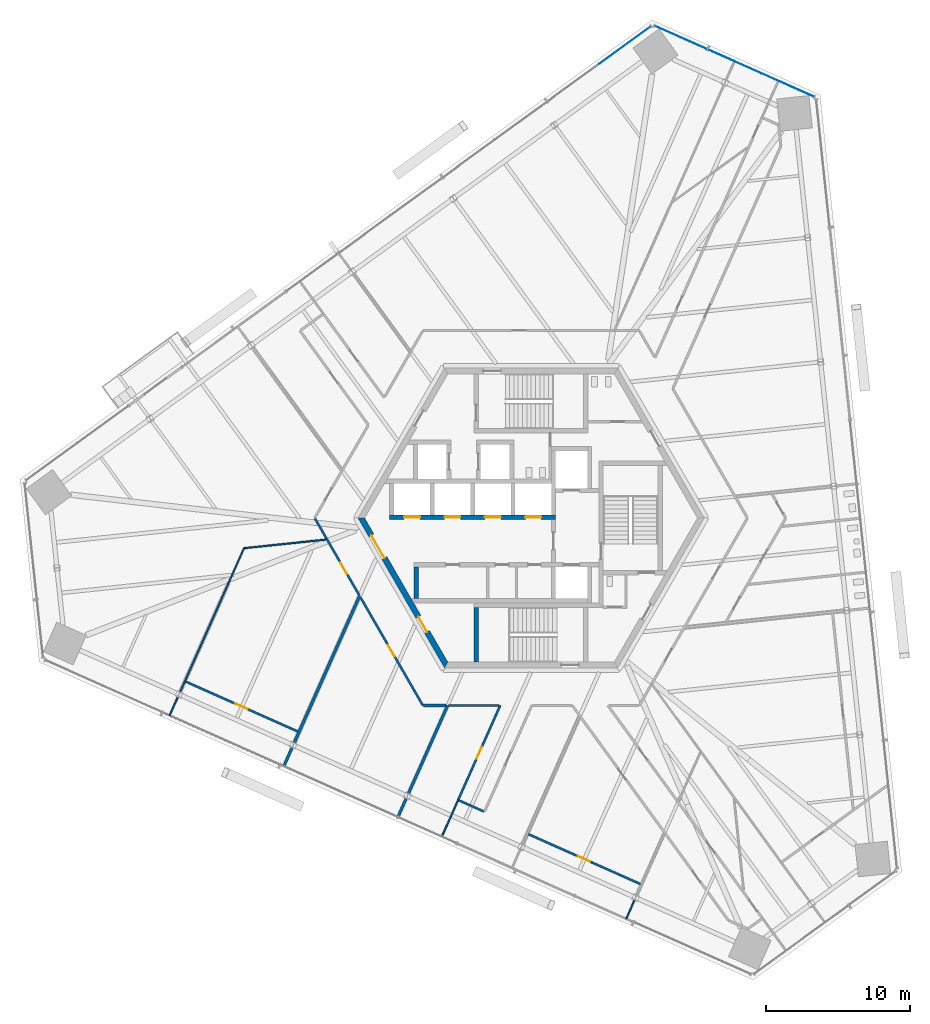
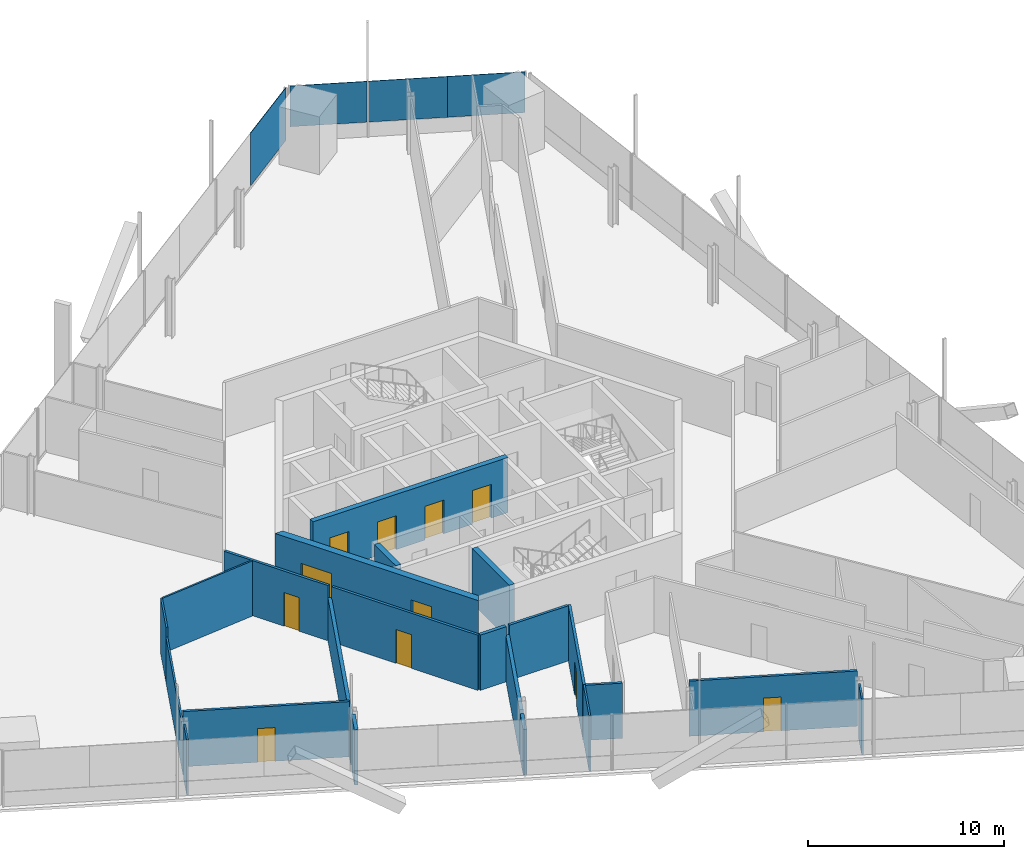
# One storey, part 10 of 21: 22 walls, 11 doors, 4 plates, 11 openings, 2 elements without a shape of their own.
"""IFC4 building model written with IfcOpenShell, lengths in metres."""

from ifc_helpers import new_model, si_unit, direction, frame, frame_2d, origin, origin_2d, place, context, subcontext, project, spatial, polyline, rectangle, outline, extrude, source, transform, mapped, material, layer, layer_set, type_object, element, fill, aggregate, save


model = new_model("IFC4")

# Units and contexts
model_context = context("Model", 3, precision=1e-05, world=origin(), true_north=direction((0.0, 1.0)))
body_context = subcontext(model_context, "Body", "Model", "MODEL_VIEW")
ifc_project = project(units=[si_unit("LENGTHUNIT", "METRE"), si_unit("AREAUNIT", "SQUARE_METRE"), si_unit("VOLUMEUNIT", "CUBIC_METRE"), si_unit("PLANEANGLEUNIT", "RADIAN"), si_unit("MASSUNIT", "GRAM", prefix="KILO")], contexts=[model_context])

# Site, building, storey
site_placement = place(None, origin())
site = spatial("IfcSite", under=ifc_project, at=site_placement, CompositionType="ELEMENT")
building_placement = place(site_placement, origin())
building = spatial("IfcBuilding", under=site, at=building_placement, Name="Triune Harvest Tower", CompositionType="ELEMENT")
storey_placement = place(building_placement, frame((0.0, 0.0, 80.10009765625)))
storey = spatial("IfcBuildingStorey", under=building, at=storey_placement, Name="L19", CompositionType="ELEMENT", Elevation=80.10009765625)

# Curtain wall, plates
ifc_material_1 = material(Name="Aluminium bronze anodised", Category="aluminium")
curtain_wall_type_1 = type_object("IfcCurtainWallType", Name="CW-1 Tower stick curtain wall", PredefinedType="NOTDEFINED", material=ifc_material_1)
curtain_wall_1_placement = place(storey_placement, origin())
curtain_wall_1 = element("IfcCurtainWall", 1, at=curtain_wall_1_placement, inside=storey, type_object=curtain_wall_type_1, Name="CW-1 B2-F2 L19 run 1")
ifc_material_2 = material(Name="Glass", Category="glass")
ifc_layer_1 = layer(ifc_material_2, 0.031982421875)
ifc_layer_set_1 = layer_set([ifc_layer_1], Name="Glass")
plate_type_1 = type_object("IfcPlateType", Name="GL-1 panel 32", PredefinedType="CURTAIN_PANEL", material=ifc_layer_set_1)
shared_shape_1 = source(origin(), body_context, "Body", "SweptSolid", [
    extrude(rectangle(XDim=3.99853515625, YDim=0.031982421875, at=origin_2d()), origin(), (0.0, 0.0, 1.0), 2.5400390625),
])
plate_1_placement = place(storey_placement, frame((17.783203125, 30.018798828125, 0.89990234375), z_axis=(0.0, 0.0, 1.0), x_axis=(-0.913546644034, 0.406733978386, 0.0)))
plate_1 = element("IfcPlate", 2, at=plate_1_placement, type_object=plate_type_1, Name="CW-1 panel B2-F2 1.1", PredefinedType="CURTAIN_PANEL", context=body_context, shape_type="MappedRepresentation", body=[
    mapped(shared_shape_1, transform((0.0, 0.0, 0.0), scale=1.0)),
])
shared_shape_2 = source(origin(), body_context, "Body", "SweptSolid", [
    extrude(rectangle(XDim=4.035888671875, YDim=0.031982421875, at=origin_2d()), origin(), (0.0, 0.0, 1.0), 2.5400390625),
])
plate_2_placement = place(storey_placement, frame((14.11328125, 31.65283203125, 0.89990234375), z_axis=(0.0, 0.0, 1.0), x_axis=(-0.913546644034, 0.406733978386, 0.0)))
plate_2 = element("IfcPlate", 3, at=plate_2_placement, type_object=plate_type_1, Name="CW-1 panel B2-F2 1.2", PredefinedType="CURTAIN_PANEL", context=body_context, shape_type="MappedRepresentation", body=[
    mapped(shared_shape_2, transform((0.0, 0.0, 0.0), scale=1.0)),
])
shared_shape_3 = source(origin(), body_context, "Body", "SweptSolid", [
    extrude(rectangle(XDim=3.9609375, YDim=0.031982421875, at=origin_2d()), origin(), (0.0, 0.0, 1.0), 2.5400390625),
])
plate_3_placement = place(storey_placement, frame((10.39208984375, 33.3095703125, 0.89990234375), z_axis=(0.0, 0.0, 1.0), x_axis=(-0.913546644034, 0.406733978386, 0.0)))
plate_3 = element("IfcPlate", 4, at=plate_3_placement, type_object=plate_type_1, Name="CW-1 panel B2-F2 1.3", PredefinedType="CURTAIN_PANEL", context=body_context, shape_type="MappedRepresentation", body=[
    mapped(shared_shape_3, transform((0.0, 0.0, 0.0), scale=1.0)),
])
aggregate(curtain_wall_1, [plate_1, plate_2, plate_3])

# Curtain wall, plate
ifc_material_3 = material(Name="Aluminium bronze anodised", Category="aluminium")
curtain_wall_type_2 = type_object("IfcCurtainWallType", Name="CW-6 Balcony window wall", PredefinedType="NOTDEFINED", material=ifc_material_3)
curtain_wall_2_placement = place(storey_placement, origin())
curtain_wall_2 = element("IfcCurtainWall", 5, at=curtain_wall_2_placement, inside=storey, type_object=curtain_wall_type_2, Name="CW-6 B2-F3 L19 run 1")
ifc_material_4 = material(Name="Glass", Category="glass")
ifc_layer_2 = layer(ifc_material_4, 0.030029296875)
ifc_layer_set_2 = layer_set([ifc_layer_2], Name="Glass")
plate_type_2 = type_object("IfcPlateType", Name="GL-6 panel 30", PredefinedType="CURTAIN_PANEL", material=ifc_layer_set_2)
shared_shape_4 = source(origin(), body_context, "Body", "SweptSolid", [
    extrude(rectangle(XDim=4.400634765625, YDim=0.030029296875, at=origin_2d()), origin(), (0.0, 0.0, 1.0), 3.2900390625),
])
plate_4_placement = place(storey_placement, frame((6.5185546875, 32.7919921875, 0.14990234375), z_axis=(0.0, 0.0, 1.0), x_axis=(-0.809017316839, -0.587784808458, 0.0)))
plate_4 = element("IfcPlate", 6, at=plate_4_placement, type_object=plate_type_2, Name="CW-6 panel B2-F3 1.1", PredefinedType="CURTAIN_PANEL", context=body_context, shape_type="MappedRepresentation", body=[
    mapped(shared_shape_4, transform((0.0, 0.0, 0.0), scale=1.0)),
])
aggregate(curtain_wall_2, [plate_4])

# Walls
ifc_material_5 = material(Name="Gypsum board on steel studs", Category="steel")
ifc_layer_3 = layer(ifc_material_5, 0.199951171875)
ifc_layer_set_3 = layer_set([ifc_layer_3], Name="Gypsum board on steel studs")
wall_type_1 = type_object("IfcWallType", Name="Fire Wall 200 mm", PredefinedType="PARTITIONING", material=ifc_layer_set_3)
wall_1_placement = place(storey_placement, frame((-9.23193359375, -20.735595703125, 0.0), z_axis=(0.0, 0.0, 1.0), x_axis=(0.406697305895, 0.913562970669, 0.0)))
element("IfcWall", 7, at=wall_1_placement, inside=storey, type_object=wall_type_1, Name="Partition L19 057", PredefinedType="PARTITIONING", context=body_context, shape_type="SweptSolid", body=[
    extrude(rectangle(XDim=1.41845703125, YDim=0.199951171875, at=frame_2d((0.709228515625, 0.0))), origin(), (0.0, 0.0, 1.0), 2.82763671875),
])
wall_2_placement = place(storey_placement, frame((-8.5029296875, -19.098388671875, 0.0), z_axis=(0.0, 0.0, 1.0), x_axis=(0.406717906422, 0.913553799508, 0.0)))
element("IfcWall", 8, at=wall_2_placement, inside=storey, type_object=wall_type_1, Name="Partition L19 058", PredefinedType="PARTITIONING", context=body_context, shape_type="SweptSolid", body=[
    extrude(rectangle(XDim=6.68408203125, YDim=0.199951171875, at=frame_2d((3.342041015625, 0.0))), origin(), (0.0, 0.0, 1.0), 2.82763671875),
])
wall_3_placement = place(storey_placement, frame((-16.41650390625, -15.5751953125, 0.0), z_axis=(0.0, 0.0, 1.0), x_axis=(0.40673824314, 0.913544745247, 0.0)))
element("IfcWall", 9, at=wall_3_placement, inside=storey, type_object=wall_type_1, Name="Partition L19 062", PredefinedType="PARTITIONING", context=body_context, shape_type="SweptSolid", body=[
    extrude(rectangle(XDim=11.139892578125, YDim=0.199951171875, at=frame_2d((5.56982421875, 0.0))), origin(), (0.0, 0.0, 1.0), 2.682861328125),
])

# Wall, openings, doors
ifc_material_6 = material(Name="Concrete 70 MPa", Category="concrete")
ifc_layer_4 = layer(ifc_material_6, 0.39990234375)
ifc_layer_set_4 = layer_set([ifc_layer_4], Name="Concrete 70 MPa")
wall_type_2 = type_object("IfcWallType", Name="Core wall 400", PredefinedType="SHEAR", material=ifc_layer_set_4)
shared_shape_5 = source(origin(), body_context, "Body", "SweptSolid", [
    extrude(outline(polyline([(-0.115478515625, -0.199951171875), (11.884521484375, -0.199951171875), (11.653564453125, 0.199951171875), (0.115478515625, 0.199951171875), (-0.115478515625, -0.199951171875)])), origin(), (0.0, 0.0, 1.0), 3.43994140625),
])
wall_4_placement = place(storey_placement, frame((-11.76904296875, 0.0, 0.0), z_axis=(0.0, 0.0, 1.0), x_axis=(0.499996592174, -0.866027371285, 0.0)))
wall_4 = element("IfcWall", 10, at=wall_4_placement, inside=storey, type_object=wall_type_2, Name="Hexagon 3 wall", PredefinedType="SHEAR", context=body_context, shape_type="MappedRepresentation", body=[
    mapped(shared_shape_5, transform((0.0, 0.0, 0.0), scale=1.0)),
])
opening_1_placement = place(wall_4_placement, frame((1.404541015625, 0.0, 0.0)))
opening_1 = element("IfcOpeningElement", 11, at=opening_1_placement, cuts=wall_4, Name="Opening CD-LS", PredefinedType="OPENING", context=body_context, shape_type="SweptSolid", body=[
    extrude(rectangle(XDim=1.800048828125, YDim=2.10009765625, at=frame_2d((0.89990234375, 1.050048828125))), frame((0.0, 0.2099609375, 0.0), z_axis=(0.0, -1.0, 0.0), x_axis=(1.0, 0.0, 0.0)), (0.0, 0.0, 1.0), 0.419921875),
])
opening_2_placement = place(wall_4_placement, frame((7.91455078125, 0.0, 0.0)))
opening_2 = element("IfcOpeningElement", 12, at=opening_2_placement, cuts=wall_4, Name="Opening CD-SWP", PredefinedType="OPENING", context=body_context, shape_type="SweptSolid", body=[
    extrude(rectangle(XDim=1.199951171875, YDim=2.10009765625, at=frame_2d((0.60009765625, 1.050048828125))), frame((0.0, 0.2099609375, 0.0), z_axis=(0.0, -1.0, 0.0), x_axis=(1.0, 0.0, 0.0)), (0.0, 0.0, 1.0), 0.419921875),
])
ifc_material_7 = material(Name="Steel S235", Category="steel")
door_type_1 = type_object("IfcDoorType", Name="Lobby door 1800 FD120", OperationType="DOUBLE_DOOR_DOUBLE_SWING", PredefinedType="DOOR", material=ifc_material_7)
door_1_placement = place(opening_1_placement, frame((1.800048828125, 0.0, 0.0), z_axis=(0.0, 0.0, 1.0), x_axis=(-1.0, 0.0, 0.0)))
door_1 = element("IfcDoor", 13, at=door_1_placement, inside=storey, type_object=door_type_1, Name="Door CD-LS", OperationType="DOUBLE_DOOR_DOUBLE_SWING", OverallHeight=2.10009765625, OverallWidth=1.800048828125, PredefinedType="DOOR", context=body_context, shape_type="SweptSolid", body=[
    extrude(rectangle(XDim=1.800048828125, YDim=2.10009765625, at=frame_2d((0.89990234375, 1.050048828125))), frame((0.0, 0.02490234375, 0.0), z_axis=(0.0, -1.0, 0.0), x_axis=(1.0, 0.0, 0.0)), (0.0, 0.0, 1.0), 0.050048828125),
])
fill(opening_1, door_1)
ifc_material_8 = material(Name="Steel S235", Category="steel")
door_type_2 = type_object("IfcDoorType", Name="Service door 1200 FD120", OperationType="SINGLE_SWING_LEFT", PredefinedType="DOOR", material=ifc_material_8)
door_2_placement = place(opening_2_placement, frame((1.199951171875, 0.0, 0.0), z_axis=(0.0, 0.0, 1.0), x_axis=(-1.0, 0.0, 0.0)))
door_2 = element("IfcDoor", 14, at=door_2_placement, inside=storey, type_object=door_type_2, Name="Door CD-SWP", OperationType="SINGLE_SWING_RIGHT", OverallHeight=2.10009765625, OverallWidth=1.199951171875, PredefinedType="DOOR", context=body_context, shape_type="SweptSolid", body=[
    extrude(rectangle(XDim=1.199951171875, YDim=2.10009765625, at=frame_2d((0.60009765625, 1.050048828125))), frame((0.0, 0.02490234375, 0.0), z_axis=(0.0, -1.0, 0.0), x_axis=(1.0, 0.0, 0.0)), (0.0, 0.0, 1.0), 0.050048828125),
])
fill(opening_2, door_2)

ifc_material_9 = material(Name="Concrete 70 MPa", Category="concrete")
ifc_layer_5 = layer(ifc_material_9, 0.300048828125)
ifc_layer_set_5 = layer_set([ifc_layer_5], Name="Concrete 70 MPa")
wall_type_3 = type_object("IfcWallType", Name="Core wall 300", PredefinedType="SHEAR", material=ifc_layer_set_5)
shared_shape_6 = source(origin(), body_context, "Body", "SweptSolid", [
    extrude(rectangle(XDim=11.5, YDim=0.300048828125, at=frame_2d((5.75, 0.0))), origin(), (0.0, 0.0, 1.0), 3.43994140625),
])
wall_5_placement = place(storey_placement, frame((-9.800048828125, 0.06005859375, 0.0), z_axis=(0.0, 0.0, 1.0), x_axis=(1.0, 0.0, 0.0)))
wall_5 = element("IfcWall", 15, at=wall_5_placement, inside=storey, type_object=wall_type_3, Name="North front wall", PredefinedType="SHEAR", context=body_context, shape_type="MappedRepresentation", body=[
    mapped(shared_shape_6, transform((0.0, 0.0, 0.0), scale=1.0)),
])
opening_3_placement = place(wall_5_placement, frame((1.0, 0.0, 0.0)))
opening_3 = element("IfcOpeningElement", 16, at=opening_3_placement, cuts=wall_5, Name="Opening LD-LR1-19", PredefinedType="OPENING", context=body_context, shape_type="SweptSolid", body=[
    extrude(rectangle(XDim=1.10009765625, YDim=2.10009765625, at=frame_2d((0.550048828125, 1.050048828125))), frame((0.0, 0.16015625, 0.0), z_axis=(0.0, -1.0, 0.0), x_axis=(1.0, 0.0, 0.0)), (0.0, 0.0, 1.0), 0.320068359375),
])
opening_4_placement = place(wall_5_placement, frame((3.800048828125, 0.0, 0.0)))
opening_4 = element("IfcOpeningElement", 17, at=opening_4_placement, cuts=wall_5, Name="Opening LD-LR2-19", PredefinedType="OPENING", context=body_context, shape_type="SweptSolid", body=[
    extrude(rectangle(XDim=1.10009765625, YDim=2.10009765625, at=frame_2d((0.550048828125, 1.050048828125))), frame((0.0, 0.16015625, 0.0), z_axis=(0.0, -1.0, 0.0), x_axis=(1.0, 0.0, 0.0)), (0.0, 0.0, 1.0), 0.320068359375),
])
opening_5_placement = place(wall_5_placement, frame((6.60009765625, 0.0, 0.0)))
opening_5 = element("IfcOpeningElement", 18, at=opening_5_placement, cuts=wall_5, Name="Opening LD-LR3-19", PredefinedType="OPENING", context=body_context, shape_type="SweptSolid", body=[
    extrude(rectangle(XDim=1.10009765625, YDim=2.10009765625, at=frame_2d((0.550048828125, 1.050048828125))), frame((0.0, 0.16015625, 0.0), z_axis=(0.0, -1.0, 0.0), x_axis=(1.0, 0.0, 0.0)), (0.0, 0.0, 1.0), 0.320068359375),
])
opening_6_placement = place(wall_5_placement, frame((9.39990234375, 0.0, 0.0)))
opening_6 = element("IfcOpeningElement", 19, at=opening_6_placement, cuts=wall_5, Name="Opening LD-LR4-19", PredefinedType="OPENING", context=body_context, shape_type="SweptSolid", body=[
    extrude(rectangle(XDim=1.10009765625, YDim=2.10009765625, at=frame_2d((0.550048828125, 1.050048828125))), frame((0.0, 0.16015625, 0.0), z_axis=(0.0, -1.0, 0.0), x_axis=(1.0, 0.0, 0.0)), (0.0, 0.0, 1.0), 0.320068359375),
])
ifc_material_10 = material(Name="Stainless steel AISI 304", Category="steel")
door_type_3 = type_object("IfcDoorType", Name="Landing door 1100 x 2100", OperationType="DOUBLE_DOOR_SLIDING", PredefinedType="DOOR", material=ifc_material_10)
door_3_placement = place(opening_3_placement, origin())
door_3 = element("IfcDoor", 20, at=door_3_placement, inside=storey, type_object=door_type_3, Name="Door LD-LR1-19", OperationType="DOUBLE_DOOR_SLIDING", OverallHeight=2.10009765625, OverallWidth=1.10009765625, PredefinedType="DOOR", context=body_context, shape_type="SweptSolid", body=[
    extrude(rectangle(XDim=1.10009765625, YDim=2.10009765625, at=frame_2d((0.550048828125, 1.050048828125))), frame((0.0, 0.02490234375, 0.0), z_axis=(0.0, -1.0, 0.0), x_axis=(1.0, 0.0, 0.0)), (0.0, 0.0, 1.0), 0.050048828125),
])
fill(opening_3, door_3)
door_4_placement = place(opening_4_placement, origin())
door_4 = element("IfcDoor", 21, at=door_4_placement, inside=storey, type_object=door_type_3, Name="Door LD-LR2-19", OperationType="DOUBLE_DOOR_SLIDING", OverallHeight=2.10009765625, OverallWidth=1.10009765625, PredefinedType="DOOR", context=body_context, shape_type="SweptSolid", body=[
    extrude(rectangle(XDim=1.10009765625, YDim=2.10009765625, at=frame_2d((0.550048828125, 1.050048828125))), frame((0.0, 0.02490234375, 0.0), z_axis=(0.0, -1.0, 0.0), x_axis=(1.0, 0.0, 0.0)), (0.0, 0.0, 1.0), 0.050048828125),
])
fill(opening_4, door_4)
door_5_placement = place(opening_5_placement, origin())
door_5 = element("IfcDoor", 22, at=door_5_placement, inside=storey, type_object=door_type_3, Name="Door LD-LR3-19", OperationType="DOUBLE_DOOR_SLIDING", OverallHeight=2.10009765625, OverallWidth=1.10009765625, PredefinedType="DOOR", context=body_context, shape_type="SweptSolid", body=[
    extrude(rectangle(XDim=1.10009765625, YDim=2.10009765625, at=frame_2d((0.550048828125, 1.050048828125))), frame((0.0, 0.02490234375, 0.0), z_axis=(0.0, -1.0, 0.0), x_axis=(1.0, 0.0, 0.0)), (0.0, 0.0, 1.0), 0.050048828125),
])
fill(opening_5, door_5)
door_6_placement = place(opening_6_placement, origin())
door_6 = element("IfcDoor", 23, at=door_6_placement, inside=storey, type_object=door_type_3, Name="Door LD-LR4-19", OperationType="DOUBLE_DOOR_SLIDING", OverallHeight=2.10009765625, OverallWidth=1.10009765625, PredefinedType="DOOR", context=body_context, shape_type="SweptSolid", body=[
    extrude(rectangle(XDim=1.10009765625, YDim=2.10009765625, at=frame_2d((0.550048828125, 1.050048828125))), frame((0.0, 0.02490234375, 0.0), z_axis=(0.0, -1.0, 0.0), x_axis=(1.0, 0.0, 0.0)), (0.0, 0.0, 1.0), 0.050048828125),
])
fill(opening_6, door_6)

# Walls
shared_shape_7 = source(origin(), body_context, "Body", "SweptSolid", [
    extrude(rectangle(XDim=2.2001953125, YDim=0.300048828125, at=frame_2d((1.10009765625, 0.0))), origin(), (0.0, 0.0, 1.0), 3.43994140625),
])
wall_6_placement = place(storey_placement, frame((-7.949951171875, -5.590087890625, 0.0), z_axis=(0.0, 0.0, 1.0), x_axis=(0.0, 1.0, 0.0)))
element("IfcWall", 24, at=wall_6_placement, inside=storey, type_object=wall_type_3, Name="South end west wall", PredefinedType="SHEAR", context=body_context, shape_type="MappedRepresentation", body=[
    mapped(shared_shape_7, transform((0.0, 0.0, 0.0), scale=1.0)),
])
shared_shape_8 = source(origin(), body_context, "Body", "SweptSolid", [
    extrude(outline(polyline([(3.800048828125, -0.14990234375), (-0.00439453125, -0.14990234375), (-0.00439453125, 0.14990234375), (3.800048828125, 0.14990234375), (3.800048828125, -0.14990234375)])), origin(), (0.0, 0.0, 1.0), 3.43994140625),
])
wall_7_placement = place(storey_placement, frame((-3.800048828125, -9.989990234375, 0.0), z_axis=(0.0, 0.0, 1.0), x_axis=(0.0, 1.0, 0.0)))
element("IfcWall", 25, at=wall_7_placement, inside=storey, type_object=wall_type_3, Name="Stair s west wall", PredefinedType="SHEAR", context=body_context, shape_type="MappedRepresentation", body=[
    mapped(shared_shape_8, transform((0.0, 0.0, 0.0), scale=1.0)),
])
ifc_material_11 = material(Name="Gypsum board on steel studs", Category="steel")
ifc_layer_6 = layer(ifc_material_11, 0.10009765625)
ifc_layer_set_6 = layer_set([ifc_layer_6], Name="Gypsum board on steel studs")
wall_type_4 = type_object("IfcWallType", Name="Partition 100 mm", PredefinedType="PARTITIONING", material=ifc_layer_set_6)
shared_shape_9 = source(origin(), body_context, "Body", "SweptSolid", [
    extrude(rectangle(XDim=1.418212890625, YDim=0.10009765625, at=frame_2d((0.708984375, 0.0))), origin(), (0.0, 0.0, 1.0), 3.43994140625),
])
wall_8_placement = place(storey_placement, frame((-25.05859375, -13.68896484375, 0.0), z_axis=(0.0, 0.0, 1.0), x_axis=(0.40676126154, 0.913534496399, 0.0)))
element("IfcWall", 26, at=wall_8_placement, inside=storey, type_object=wall_type_4, Name="Partition L19 063", PredefinedType="PARTITIONING", context=body_context, shape_type="MappedRepresentation", body=[
    mapped(shared_shape_9, transform((0.0, 0.0, 0.0), scale=1.0)),
])
shared_shape_10 = source(origin(), body_context, "Body", "SweptSolid", [
    extrude(rectangle(XDim=2.779296875, YDim=0.10009765625, at=frame_2d((1.3896484375, 0.0))), origin(), (0.0, 0.0, 1.0), 3.43994140625),
])
wall_9_placement = place(storey_placement, frame((-6.189208984375, -22.09033203125, 0.0), z_axis=(0.0, 0.0, 1.0), x_axis=(0.406814859578, 0.9135106294, 0.0)))
element("IfcWall", 27, at=wall_9_placement, inside=storey, type_object=wall_type_4, Name="Partition L19 053", PredefinedType="PARTITIONING", context=body_context, shape_type="MappedRepresentation", body=[
    mapped(shared_shape_10, transform((0.0, 0.0, 0.0), scale=1.0)),
])
shared_shape_11 = source(origin(), body_context, "Body", "SweptSolid", [
    extrude(rectangle(XDim=1.418701171875, YDim=0.10009765625, at=frame_2d((0.70947265625, 0.0))), origin(), (0.0, 0.0, 1.0), 3.43994140625),
])
wall_10_placement = place(storey_placement, frame((6.594482421875, -27.781982421875, 0.0), z_axis=(0.0, 0.0, 1.0), x_axis=(0.40684093384, 0.913499017269, 0.0)))
element("IfcWall", 28, at=wall_10_placement, inside=storey, type_object=wall_type_4, Name="Partition L19 046", PredefinedType="PARTITIONING", context=body_context, shape_type="MappedRepresentation", body=[
    mapped(shared_shape_11, transform((0.0, 0.0, 0.0), scale=1.0)),
])
shared_shape_12 = source(origin(), body_context, "Body", "SweptSolid", [
    extrude(rectangle(XDim=8.29150390625, YDim=0.10009765625, at=frame_2d((4.145751953125, 0.0))), origin(), (0.0, 0.0, 1.0), 2.82763671875),
])
wall_11_placement = place(storey_placement, frame((-24.329833984375, -12.0517578125, 0.0), z_axis=(0.0, 0.0, 1.0), x_axis=(0.406744870427, 0.913541794546, 0.0)))
element("IfcWall", 29, at=wall_11_placement, inside=storey, type_object=wall_type_4, Name="Partition L19 064", PredefinedType="PARTITIONING", context=body_context, shape_type="MappedRepresentation", body=[
    mapped(shared_shape_12, transform((0.0, 0.0, 0.0), scale=1.0)),
])
shared_shape_13 = source(origin(), body_context, "Body", "SweptSolid", [
    extrude(rectangle(XDim=2.61181640625, YDim=0.10009765625, at=frame_2d((1.305908203125, 0.0))), origin(), (0.0, 0.0, 1.0), 3.43994140625),
])
wall_12_placement = place(storey_placement, frame((-20.957275390625, -4.47705078125, 0.0), z_axis=(0.0, 0.0, 1.0), x_axis=(0.406719484736, 0.913553096835, 0.0)))
element("IfcWall", 30, at=wall_12_placement, inside=storey, type_object=wall_type_4, Name="Partition L19 064a", PredefinedType="PARTITIONING", context=body_context, shape_type="MappedRepresentation", body=[
    mapped(shared_shape_13, transform((0.0, 0.0, 0.0), scale=1.0)),
])
shared_shape_14 = source(origin(), body_context, "Body", "SweptSolid", [
    extrude(rectangle(XDim=1.418212890625, YDim=0.199951171875, at=frame_2d((0.708984375, 0.0))), origin(), (0.0, 0.0, 1.0), 3.43994140625),
])
wall_13_placement = place(storey_placement, frame((-17.145263671875, -17.212158203125, 0.0), z_axis=(0.0, 0.0, 1.0), x_axis=(0.40676126154, 0.913534496399, 0.0)))
element("IfcWall", 31, at=wall_13_placement, inside=storey, type_object=wall_type_1, Name="Partition L19 061", PredefinedType="PARTITIONING", context=body_context, shape_type="MappedRepresentation", body=[
    mapped(shared_shape_14, transform((0.0, 0.0, 0.0), scale=1.0)),
])

# Wall, opening, door
ifc_material_12 = material(Name="Gypsum board on steel studs", Category="steel")
ifc_layer_7 = layer(ifc_material_12, 0.14990234375)
ifc_layer_set_7 = layer_set([ifc_layer_7], Name="Gypsum board on steel studs")
wall_type_5 = type_object("IfcWallType", Name="Fire Partition 150 mm", PredefinedType="PARTITIONING", material=ifc_layer_set_7)
shared_shape_15 = source(origin(), body_context, "Body", "SweptSolid", [
    extrude(rectangle(XDim=6.1201171875, YDim=0.14990234375, at=frame_2d((3.06005859375, 0.0))), origin(), (0.0, 0.0, 1.0), 3.43994140625),
])
wall_14_placement = place(storey_placement, frame((-14.977294921875, -0.043212890625, 0.0), z_axis=(0.0, 0.0, 1.0), x_axis=(0.500009065664, -0.866020169658, 0.0)))
wall_14 = element("IfcWall", 32, at=wall_14_placement, inside=storey, type_object=wall_type_5, Name="Partition L19 004", PredefinedType="PARTITIONING", context=body_context, shape_type="MappedRepresentation", body=[
    mapped(shared_shape_15, transform((0.0, 0.0, 0.0), scale=1.0)),
])
opening_7_placement = place(wall_14_placement, frame((3.5166015625, 0.0, 0.0)))
opening_7 = element("IfcOpeningElement", 33, at=opening_7_placement, cuts=wall_14, Name="Opening L19-015", PredefinedType="OPENING", context=body_context, shape_type="SweptSolid", body=[
    extrude(rectangle(XDim=0.89990234375, YDim=2.10009765625, at=frame_2d((0.449951171875, 1.050048828125))), frame((0.0, 0.0849609375, 0.0), z_axis=(0.0, -1.0, 0.0), x_axis=(1.0, 0.0, 0.0)), (0.0, 0.0, 1.0), 0.169921875),
])
ifc_material_13 = material(Name="Timber and steel door set", Category="steel")
door_type_4 = type_object("IfcDoorType", Name="Single leaf door FD30 left hand 900 x 2100", OperationType="SINGLE_SWING_LEFT", PredefinedType="DOOR", material=ifc_material_13)
door_7_placement = place(opening_7_placement, origin())
door_7 = element("IfcDoor", 34, at=door_7_placement, inside=storey, type_object=door_type_4, Name="Door L19-015 Tasting Room 19.15", OperationType="SINGLE_SWING_LEFT", OverallHeight=2.10009765625, OverallWidth=0.89990234375, PredefinedType="DOOR", context=body_context, shape_type="SweptSolid", body=[
    extrude(rectangle(XDim=0.89990234375, YDim=2.10009765625, at=frame_2d((0.449951171875, 1.050048828125))), frame((0.0, 0.02490234375, 0.0), z_axis=(0.0, -1.0, 0.0), x_axis=(1.0, 0.0, 0.0)), (0.0, 0.0, 1.0), 0.050048828125),
])
fill(opening_7, door_7)

shared_shape_16 = source(origin(), body_context, "Body", "SweptSolid", [
    extrude(rectangle(XDim=8.6123046875, YDim=0.14990234375, at=frame_2d((4.30615234375, 0.0))), origin(), (0.0, 0.0, 1.0), 3.43994140625),
])
wall_15_placement = place(storey_placement, frame((-11.80712890625, -5.533935546875, 0.0), z_axis=(0.0, 0.0, 1.0), x_axis=(0.499998921569, -0.866026026416, 0.0)))
wall_15 = element("IfcWall", 35, at=wall_15_placement, inside=storey, type_object=wall_type_5, Name="Partition L19 005", PredefinedType="PARTITIONING", context=body_context, shape_type="MappedRepresentation", body=[
    mapped(shared_shape_16, transform((0.0, 0.0, 0.0), scale=1.0)),
])
opening_8_placement = place(wall_15_placement, frame((3.793701171875, 0.0, 0.0)))
opening_8 = element("IfcOpeningElement", 36, at=opening_8_placement, cuts=wall_15, Name="Opening L19-017", PredefinedType="OPENING", context=body_context, shape_type="SweptSolid", body=[
    extrude(rectangle(XDim=0.89990234375, YDim=2.10009765625, at=frame_2d((0.449951171875, 1.050048828125))), frame((0.0, 0.0849609375, 0.0), z_axis=(0.0, -1.0, 0.0), x_axis=(1.0, 0.0, 0.0)), (0.0, 0.0, 1.0), 0.169921875),
])
door_8_placement = place(opening_8_placement, origin())
door_8 = element("IfcDoor", 37, at=door_8_placement, inside=storey, type_object=door_type_4, Name="Door L19-017 Commercial Trial Kitchen 19.17", OperationType="SINGLE_SWING_LEFT", OverallHeight=2.10009765625, OverallWidth=0.89990234375, PredefinedType="DOOR", context=body_context, shape_type="SweptSolid", body=[
    extrude(rectangle(XDim=0.89990234375, YDim=2.10009765625, at=frame_2d((0.449951171875, 1.050048828125))), frame((0.0, 0.02490234375, 0.0), z_axis=(0.0, -1.0, 0.0), x_axis=(1.0, 0.0, 0.0)), (0.0, 0.0, 1.0), 0.050048828125),
])
fill(opening_8, door_8)

shared_shape_17 = source(origin(), body_context, "Body", "SweptSolid", [
    extrude(rectangle(XDim=7.178955078125, YDim=0.14990234375, at=frame_2d((3.58935546875, 0.0))), origin(), (0.0, 0.0, 1.0), 3.43994140625),
])
wall_16_placement = place(storey_placement, frame((-5.05810546875, -19.550537109375, 0.0), z_axis=(0.0, 0.0, 1.0), x_axis=(0.40673158622, 0.913547709083, 0.0)))
wall_16 = element("IfcWall", 38, at=wall_16_placement, inside=storey, type_object=wall_type_5, Name="Partition L19 054", PredefinedType="PARTITIONING", context=body_context, shape_type="MappedRepresentation", body=[
    mapped(shared_shape_17, transform((0.0, 0.0, 0.0), scale=1.0)),
])
opening_9_placement = place(wall_16_placement, frame((3.12890625, 0.0, 0.0)))
opening_9 = element("IfcOpeningElement", 39, at=opening_9_placement, cuts=wall_16, Name="Opening L19-018", PredefinedType="OPENING", context=body_context, shape_type="SweptSolid", body=[
    extrude(rectangle(XDim=0.89990234375, YDim=2.10009765625, at=frame_2d((0.449951171875, 1.050048828125))), frame((0.0, 0.0849609375, 0.0), z_axis=(0.0, -1.0, 0.0), x_axis=(1.0, 0.0, 0.0)), (0.0, 0.0, 1.0), 0.169921875),
])
door_9_placement = place(opening_9_placement, origin())
door_9 = element("IfcDoor", 40, at=door_9_placement, inside=storey, type_object=door_type_4, Name="Door L19-018 Office 19.18", OperationType="SINGLE_SWING_LEFT", OverallHeight=2.10009765625, OverallWidth=0.89990234375, PredefinedType="DOOR", context=body_context, shape_type="SweptSolid", body=[
    extrude(rectangle(XDim=0.89990234375, YDim=2.10009765625, at=frame_2d((0.449951171875, 1.050048828125))), frame((0.0, 0.02490234375, 0.0), z_axis=(0.0, -1.0, 0.0), x_axis=(1.0, 0.0, 0.0)), (0.0, 0.0, 1.0), 0.050048828125),
])
fill(opening_9, door_9)

shared_shape_18 = source(origin(), body_context, "Body", "SweptSolid", [
    extrude(rectangle(XDim=8.55224609375, YDim=0.14990234375, at=frame_2d((4.276123046875, 0.0))), origin(), (0.0, 0.0, 1.0), 3.43994140625),
])
wall_17_placement = place(storey_placement, frame((-23.973876953125, -11.325927734375, 0.0), z_axis=(0.0, 0.0, 1.0), x_axis=(0.913547668018, -0.406731678455, 0.0)))
wall_17 = element("IfcWall", 41, at=wall_17_placement, inside=storey, type_object=wall_type_5, Name="Partition L19 021", PredefinedType="PARTITIONING", context=body_context, shape_type="MappedRepresentation", body=[
    mapped(shared_shape_18, transform((0.0, 0.0, 0.0), scale=1.0)),
])
opening_10_placement = place(wall_17_placement, frame((3.820068359375, 0.0, 0.0)))
opening_10 = element("IfcOpeningElement", 42, at=opening_10_placement, cuts=wall_17, Name="Opening L19-016", PredefinedType="OPENING", context=body_context, shape_type="SweptSolid", body=[
    extrude(rectangle(XDim=0.89990234375, YDim=2.10009765625, at=frame_2d((0.449951171875, 1.050048828125))), frame((0.0, 0.0849609375, 0.0), z_axis=(0.0, -1.0, 0.0), x_axis=(1.0, 0.0, 0.0)), (0.0, 0.0, 1.0), 0.169921875),
])
ifc_material_14 = material(Name="Timber and steel door set", Category="steel")
door_type_5 = type_object("IfcDoorType", Name="Single leaf door FD30 right hand 900 x 2100", OperationType="SINGLE_SWING_RIGHT", PredefinedType="DOOR", material=ifc_material_14)
door_10_placement = place(opening_10_placement, origin())
door_10 = element("IfcDoor", 43, at=door_10_placement, inside=storey, type_object=door_type_5, Name="Door L19-016 Dry Store Room 19.16", OperationType="SINGLE_SWING_RIGHT", OverallHeight=2.10009765625, OverallWidth=0.89990234375, PredefinedType="DOOR", context=body_context, shape_type="SweptSolid", body=[
    extrude(rectangle(XDim=0.89990234375, YDim=2.10009765625, at=frame_2d((0.449951171875, 1.050048828125))), frame((0.0, 0.02490234375, 0.0), z_axis=(0.0, -1.0, 0.0), x_axis=(1.0, 0.0, 0.0)), (0.0, 0.0, 1.0), 0.050048828125),
])
fill(opening_10, door_10)

shared_shape_19 = source(origin(), body_context, "Body", "SweptSolid", [
    extrude(rectangle(XDim=8.63232421875, YDim=0.14990234375, at=frame_2d((4.316162109375, 0.0))), origin(), (0.0, 0.0, 1.0), 3.43994140625),
])
wall_18_placement = place(storey_placement, frame((-0.233642578125, -21.895751953125, 0.0), z_axis=(0.0, 0.0, 1.0), x_axis=(0.913548944102, -0.40672881227, 0.0)))
wall_18 = element("IfcWall", 44, at=wall_18_placement, inside=storey, type_object=wall_type_5, Name="Partition L19 022", PredefinedType="PARTITIONING", context=body_context, shape_type="MappedRepresentation", body=[
    mapped(shared_shape_19, transform((0.0, 0.0, 0.0), scale=1.0)),
])
opening_11_placement = place(wall_18_placement, frame((3.81982421875, 0.0, 0.0)))
opening_11 = element("IfcOpeningElement", 45, at=opening_11_placement, cuts=wall_18, Name="Opening L19-022", PredefinedType="OPENING", context=body_context, shape_type="SweptSolid", body=[
    extrude(rectangle(XDim=0.89990234375, YDim=2.10009765625, at=frame_2d((0.449951171875, 1.050048828125))), frame((0.0, 0.0849609375, 0.0), z_axis=(0.0, -1.0, 0.0), x_axis=(1.0, 0.0, 0.0)), (0.0, 0.0, 1.0), 0.169921875),
])
door_11_placement = place(opening_11_placement, origin())
door_11 = element("IfcDoor", 46, at=door_11_placement, inside=storey, type_object=door_type_5, Name="Door L19-022 Dry Store Room 19.22", OperationType="SINGLE_SWING_RIGHT", OverallHeight=2.10009765625, OverallWidth=0.89990234375, PredefinedType="DOOR", context=body_context, shape_type="SweptSolid", body=[
    extrude(rectangle(XDim=0.89990234375, YDim=2.10009765625, at=frame_2d((0.449951171875, 1.050048828125))), frame((0.0, 0.02490234375, 0.0), z_axis=(0.0, -1.0, 0.0), x_axis=(1.0, 0.0, 0.0)), (0.0, 0.0, 1.0), 0.050048828125),
])
fill(opening_11, door_11)

# Walls
shared_shape_20 = source(origin(), body_context, "Body", "SweptSolid", [
    extrude(rectangle(XDim=1.889892578125, YDim=0.14990234375, at=frame_2d((0.94482421875, 0.0))), origin(), (0.0, 0.0, 1.0), 3.43994140625),
])
wall_19_placement = place(storey_placement, frame((-5.00341796875, -19.574462890625, 0.0), z_axis=(0.0, 0.0, 1.0), x_axis=(0.913529006165, -0.406773591688, 0.0)))
element("IfcWall", 47, at=wall_19_placement, inside=storey, type_object=wall_type_5, Name="Partition L19 023", PredefinedType="PARTITIONING", context=body_context, shape_type="MappedRepresentation", body=[
    mapped(shared_shape_20, transform((0.0, 0.0, 0.0), scale=1.0)),
])
shared_shape_21 = source(origin(), body_context, "Body", "SweptSolid", [
    extrude(rectangle(XDim=1.5400390625, YDim=0.199951171875, at=frame_2d((0.77001953125, 0.0))), origin(), (0.0, 0.0, 1.0), 3.43994140625),
])
wall_20_placement = place(storey_placement, frame((-7.451171875, -12.9921875, 0.0), z_axis=(0.0, 0.0, 1.0), x_axis=(1.0, 0.0, 0.0)))
element("IfcWall", 48, at=wall_20_placement, inside=storey, type_object=wall_type_1, Name="Partition L19 026", PredefinedType="PARTITIONING", context=body_context, shape_type="MappedRepresentation", body=[
    mapped(shared_shape_21, transform((0.0, 0.0, 0.0), scale=1.0)),
])
shared_shape_22 = source(origin(), body_context, "Body", "SweptSolid", [
    extrude(rectangle(XDim=3.472900390625, YDim=0.14990234375, at=frame_2d((1.736328125, 0.0))), origin(), (0.0, 0.0, 1.0), 3.43994140625),
])
wall_21_placement = place(storey_placement, frame((-5.711181640625, -12.9921875, 0.0), z_axis=(0.0, 0.0, 1.0), x_axis=(1.0, 0.0, 0.0)))
element("IfcWall", 49, at=wall_21_placement, inside=storey, type_object=wall_type_5, Name="Partition L19 027", PredefinedType="PARTITIONING", context=body_context, shape_type="MappedRepresentation", body=[
    mapped(shared_shape_22, transform((0.0, 0.0, 0.0), scale=1.0)),
])
shared_shape_23 = source(origin(), body_context, "Body", "SweptSolid", [
    extrude(rectangle(XDim=5.682861328125, YDim=0.10009765625, at=frame_2d((2.84130859375, 0.0))), origin(), (0.0, 0.0, 1.0), 3.43994140625),
])
wall_22_placement = place(storey_placement, frame((-19.875, -2.089111328125, 0.0), z_axis=(0.0, 0.0, 1.0), x_axis=(0.994522154142, 0.104526001168, 0.0)))
element("IfcWall", 50, at=wall_22_placement, inside=storey, type_object=wall_type_4, Name="Partition L19 035", PredefinedType="PARTITIONING", context=body_context, shape_type="MappedRepresentation", body=[
    mapped(shared_shape_23, transform((0.0, 0.0, 0.0), scale=1.0)),
])

save(model, "model.ifc")
